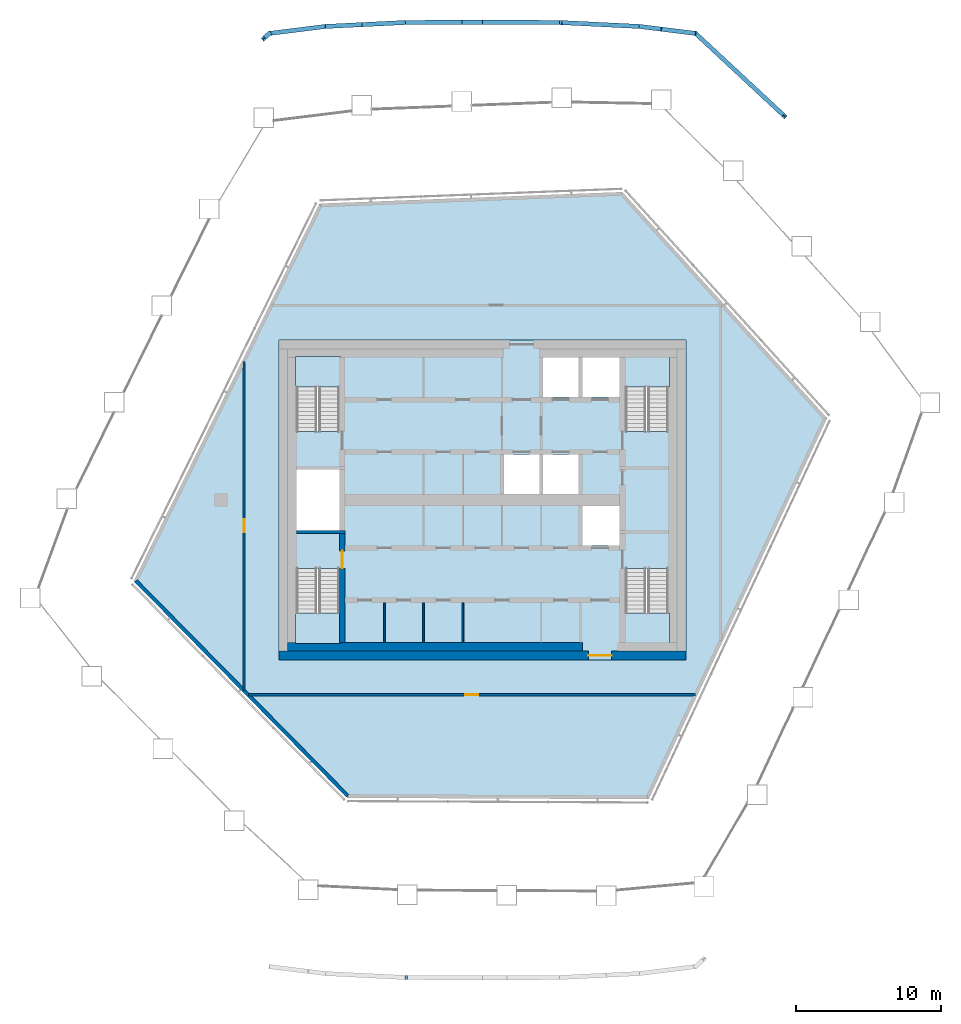
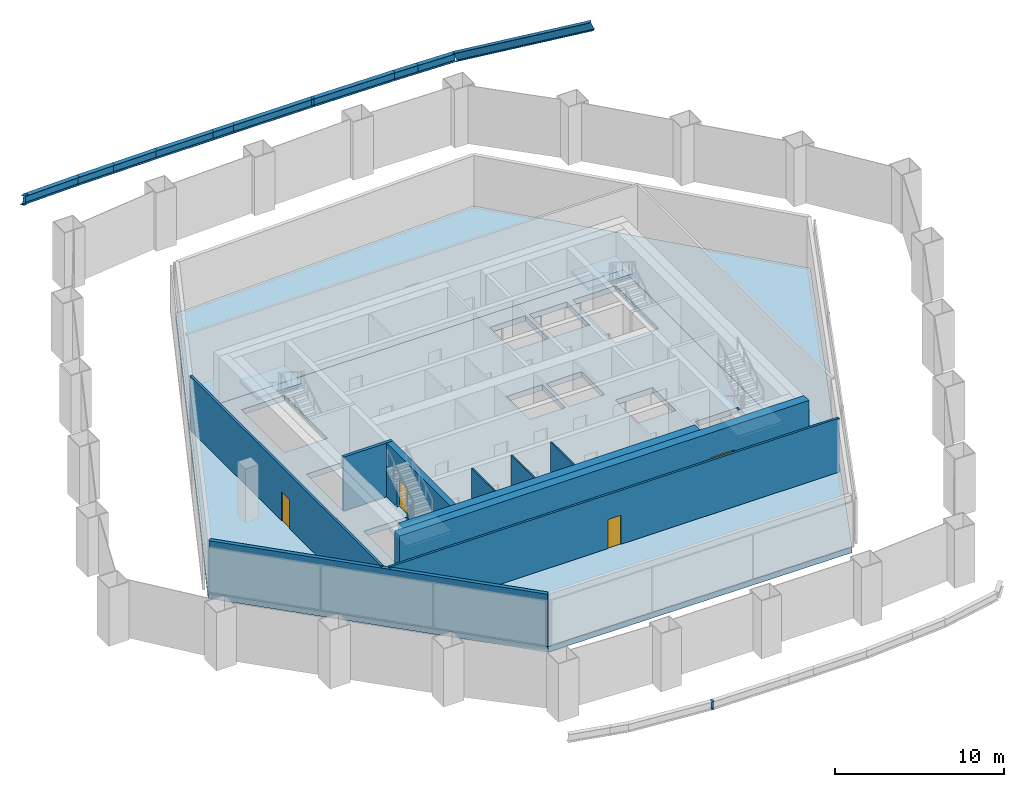
# One storey, part 7 of 18: 13 members, 10 walls, 6 slabs, 4 doors, 4 openings, 4 elements without a shape of their own.
"""IFC4 building model written with IfcOpenShell, lengths in metres."""

from ifc_helpers import new_model, si_unit, direction, frame, frame_2d, origin, origin_2d, place, context, subcontext, project, spatial, polyline, rectangle, i_section, outline, extrude, material, layer, layer_set, material_profile, profile_set, type_object, element, fill, aggregate, save


model = new_model("IFC4")

# Units and contexts
model_context = context("Model", 3, precision=1e-05, world=origin(), true_north=direction((0.0, 1.0)))
body_context = subcontext(model_context, "Body", "Model", "MODEL_VIEW")
ifc_project = project(units=[si_unit("LENGTHUNIT", "METRE"), si_unit("AREAUNIT", "SQUARE_METRE"), si_unit("VOLUMEUNIT", "CUBIC_METRE"), si_unit("PLANEANGLEUNIT", "RADIAN"), si_unit("MASSUNIT", "GRAM", prefix="KILO")], contexts=[model_context])

# Site, building, storey
site_placement = place(None, origin())
site = spatial("IfcSite", under=ifc_project, at=site_placement, CompositionType="ELEMENT")
building_placement = place(site_placement, origin())
building = spatial("IfcBuilding", under=site, at=building_placement, Name="Dongbaek Canopy Tower", CompositionType="ELEMENT")
storey_placement = place(building_placement, frame((0.0, 0.0, 371.60009765625)))
storey = spatial("IfcBuildingStorey", under=building, at=storey_placement, Name="L80", CompositionType="ELEMENT", Elevation=371.60009765625)

# Members
ifc_material_1 = material(Name="Steel S355", Category="steel")
ifc_material_profile = material_profile(ifc_material_1, i_section(OverallWidth=0.300048828125, OverallDepth=0.587890625, WebThickness=0.011962890625, FlangeThickness=0.02001953125, FilletRadius=0.028076171875, at=origin_2d()), Name="EAVES BEAM H 588x300x12x20 Steel S355")
ifc_profile_set = profile_set([ifc_material_profile], Name="Steel S355")
member_type = type_object("IfcMemberType", Name="EAVES BEAM H 588x300x12x20 Steel S355", PredefinedType="MEMBER", material=ifc_profile_set)
member_1_placement = place(storey_placement, frame((-5.31884765625, -32.866455078125, 1.91455078125), z_axis=(0.999983413533, -0.004792252781, -0.003194835187), x_axis=(0.004792277238, 0.999988516974, 0.0)))
element("IfcMember", 1, at=member_1_placement, inside=storey, type_object=member_type, Name="EAVE:13", PredefinedType="MEMBER", context=body_context, shape_type="SweptSolid", body=[
    extrude(i_section(OverallWidth=0.300048828125, OverallDepth=0.587890625, WebThickness=0.011962890625, FlangeThickness=0.02001953125, FilletRadius=0.028076171875, at=origin_2d()), origin(), (0.0, 0.0, 1.0), 0.15283203125),
])
member_2_placement = place(storey_placement, frame((20.79541015625, 26.42138671875, 5.941650390625), z_axis=(-0.673807700222, 0.626638473501, -0.391544897361), x_axis=(-0.68101107582, -0.732273114767, 0.0)))
element("IfcMember", 2, at=member_2_placement, inside=storey, type_object=member_type, Name="EAVE:40", PredefinedType="MEMBER", context=body_context, shape_type="SweptSolid", body=[
    extrude(i_section(OverallWidth=0.300048828125, OverallDepth=0.587890625, WebThickness=0.011962890625, FlangeThickness=0.02001953125, FilletRadius=0.028076171875, at=origin_2d()), origin(), (0.0, 0.0, 1.0), 9.08349609375),
])
member_3_placement = place(storey_placement, frame((14.6748046875, 32.113525390625, 2.385009765625), z_axis=(-0.989335198948, 0.123487857821, -0.077243854727), x_axis=(-0.123857916781, -0.99229996294, 0.0)))
element("IfcMember", 3, at=member_3_placement, inside=storey, type_object=member_type, Name="EAVE:41", PredefinedType="MEMBER", context=body_context, shape_type="SweptSolid", body=[
    extrude(i_section(OverallWidth=0.300048828125, OverallDepth=0.587890625, WebThickness=0.011962890625, FlangeThickness=0.02001953125, FilletRadius=0.028076171875, at=origin_2d()), origin(), (0.0, 0.0, 1.0), 2.38623046875),
])
member_4_placement = place(storey_placement, frame((12.31396484375, 32.408203125, 2.20068359375), z_axis=(-0.989323328527, 0.123584957109, -0.077240598193), x_axis=(-0.123955275681, -0.992287805846, 0.0)))
element("IfcMember", 4, at=member_4_placement, inside=storey, type_object=member_type, Name="EAVE:42", PredefinedType="MEMBER", context=body_context, shape_type="SweptSolid", body=[
    extrude(i_section(OverallWidth=0.300048828125, OverallDepth=0.587890625, WebThickness=0.011962890625, FlangeThickness=0.02001953125, FilletRadius=0.028076171875, at=origin_2d()), origin(), (0.0, 0.0, 1.0), 1.51708984375),
])
member_5_placement = place(storey_placement, frame((10.81298828125, 32.595703125, 2.08349609375), z_axis=(-0.998317656521, 0.049183603753, -0.030705533698), x_axis=(-0.049206806045, -0.998788611388, 0.0)))
element("IfcMember", 5, at=member_5_placement, inside=storey, type_object=member_type, Name="EAVE:43", PredefinedType="MEMBER", context=body_context, shape_type="SweptSolid", body=[
    extrude(i_section(OverallWidth=0.300048828125, OverallDepth=0.587890625, WebThickness=0.011962890625, FlangeThickness=0.02001953125, FilletRadius=0.028076171875, at=origin_2d()), origin(), (0.0, 0.0, 1.0), 5.35107421875),
])
member_6_placement = place(storey_placement, frame((5.470947265625, 32.85888671875, 1.919189453125), z_axis=(-0.998301296187, 0.049674703342, -0.030445785919), x_axis=(-0.04969774224, -0.998764303735, 0.0)))
element("IfcMember", 6, at=member_6_placement, inside=storey, type_object=member_type, Name="EAVE:44", PredefinedType="MEMBER", context=body_context, shape_type="SweptSolid", body=[
    extrude(i_section(OverallWidth=0.300048828125, OverallDepth=0.587890625, WebThickness=0.011962890625, FlangeThickness=0.02001953125, FilletRadius=0.028076171875, at=origin_2d()), origin(), (0.0, 0.0, 1.0), 0.15234375),
])
member_7_placement = place(storey_placement, frame((5.31884765625, 32.866455078125, 1.91455078125), z_axis=(-0.999986700426, 0.004360540555, -0.002754025614), x_axis=(-0.004360557092, -0.999990492726, 0.0)))
element("IfcMember", 7, at=member_7_placement, inside=storey, type_object=member_type, Name="EAVE:45", PredefinedType="MEMBER", context=body_context, shape_type="SweptSolid", body=[
    extrude(i_section(OverallWidth=0.300048828125, OverallDepth=0.587890625, WebThickness=0.011962890625, FlangeThickness=0.02001953125, FilletRadius=0.028076171875, at=origin_2d()), origin(), (0.0, 0.0, 1.0), 5.31884765625),
])
member_8_placement = place(storey_placement, frame((0.0, 32.8896484375, 1.89990234375), z_axis=(-0.999986941774, -0.004304351506, 0.002754784964), x_axis=(0.004304367838, -0.999990736166, 0.0)))
element("IfcMember", 8, at=member_8_placement, inside=storey, type_object=member_type, Name="EAVE:46", PredefinedType="MEMBER", context=body_context, shape_type="SweptSolid", body=[
    extrude(i_section(OverallWidth=0.300048828125, OverallDepth=0.587890625, WebThickness=0.011962890625, FlangeThickness=0.02001953125, FilletRadius=0.028076171875, at=origin_2d()), origin(), (0.0, 0.0, 1.0), 1.41796875),
])
member_9_placement = place(storey_placement, frame((-1.41796875, 32.883544921875, 1.90380859375), z_axis=(-0.999986611914, -0.004380965254, 0.002753749588), x_axis=(0.004380981865, -0.999990403453, 0.0)))
element("IfcMember", 9, at=member_9_placement, inside=storey, type_object=member_type, Name="EAVE:47", PredefinedType="MEMBER", context=body_context, shape_type="SweptSolid", body=[
    extrude(i_section(OverallWidth=0.300048828125, OverallDepth=0.587890625, WebThickness=0.011962890625, FlangeThickness=0.02001953125, FilletRadius=0.028076171875, at=origin_2d()), origin(), (0.0, 0.0, 1.0), 3.90087890625),
])
member_10_placement = place(storey_placement, frame((-5.31884765625, 32.866455078125, 1.91455078125), z_axis=(-0.998314605873, -0.049231059924, 0.030728658264), x_axis=(0.049254319622, -0.998786269428, 0.0)))
element("IfcMember", 10, at=member_10_placement, inside=storey, type_object=member_type, Name="EAVE:48", PredefinedType="MEMBER", context=body_context, shape_type="SweptSolid", body=[
    extrude(i_section(OverallWidth=0.300048828125, OverallDepth=0.587890625, WebThickness=0.011962890625, FlangeThickness=0.02001953125, FilletRadius=0.028076171875, at=origin_2d()), origin(), (0.0, 0.0, 1.0), 2.995361328125),
])
member_11_placement = place(storey_placement, frame((-8.30908203125, 32.718994140625, 2.006591796875), z_axis=(-0.998320312281, -0.049156762646, 0.030662139077), x_axis=(0.049179886731, -0.998789937245, 0.0)))
element("IfcMember", 11, at=member_11_placement, inside=storey, type_object=member_type, Name="EAVE:49", PredefinedType="MEMBER", context=body_context, shape_type="SweptSolid", body=[
    extrude(i_section(OverallWidth=0.300048828125, OverallDepth=0.587890625, WebThickness=0.011962890625, FlangeThickness=0.02001953125, FilletRadius=0.028076171875, at=origin_2d()), origin(), (0.0, 0.0, 1.0), 2.508056640625),
])
member_12_placement = place(storey_placement, frame((-10.81298828125, 32.595703125, 2.08349609375), z_axis=(-0.98933058635, -0.123525597929, 0.077242589085), x_axis=(0.1238957578, -0.992295238928, 0.0)))
element("IfcMember", 12, at=member_12_placement, inside=storey, type_object=member_type, Name="EAVE:50", PredefinedType="MEMBER", context=body_context, shape_type="SweptSolid", body=[
    extrude(i_section(OverallWidth=0.300048828125, OverallDepth=0.587890625, WebThickness=0.011962890625, FlangeThickness=0.02001953125, FilletRadius=0.028076171875, at=origin_2d()), origin(), (0.0, 0.0, 1.0), 3.903564453125),
])
member_13_placement = place(storey_placement, frame((-14.6748046875, 32.113525390625, 2.385009765625), z_axis=(-0.673871717548, -0.626709195072, 0.391321470279), x_axis=(0.681017593609, -0.732267053195, 0.0)))
element("IfcMember", 13, at=member_13_placement, inside=storey, type_object=member_type, Name="EAVE:51", PredefinedType="MEMBER", context=body_context, shape_type="SweptSolid", body=[
    extrude(i_section(OverallWidth=0.300048828125, OverallDepth=0.587890625, WebThickness=0.011962890625, FlangeThickness=0.02001953125, FilletRadius=0.028076171875, at=origin_2d()), origin(), (0.0, 0.0, 1.0), 0.57470703125),
])

# Slab
ifc_material_2 = material(Name="Concrete C40/50", Category="concrete")
ifc_layer_1 = layer(ifc_material_2, 0.39990234375)
ifc_layer_set_1 = layer_set([ifc_layer_1], Name="Core floor slab 400 Concrete C40/50")
slab_type_1 = type_object("IfcSlabType", Name="Core floor slab 400 Concrete C40/50", PredefinedType="FLOOR", material=ifc_layer_set_1)
slab_1_placement = place(storey_placement, frame((0.0, 0.0, -0.400146484375)))
element("IfcSlab", 14, at=slab_1_placement, inside=storey, type_object=slab_type_1, Name="Core floor slab L80", PredefinedType="FLOOR", context=body_context, shape_type="SweptSolid", body=[
    extrude(outline(polyline([(14.0, -11.0), (14.0, 11.0), (-14.0, 11.0), (-14.0, -11.0), (14.0, -11.0)]), holes=[polyline([(-12.800048828125, 2.10009765625), (-9.85009765625, 2.10009765625), (-9.85009765625, -2.10009765625), (-12.800048828125, -2.10009765625), (-12.800048828125, 2.10009765625)]), polyline([(6.625, 9.800048828125), (6.625, 7.074951171875), (4.175048828125, 7.074951171875), (4.175048828125, 9.800048828125), (6.625, 9.800048828125)]), polyline([(9.449951171875, 7.074951171875), (6.875, 7.074951171875), (6.875, 9.800048828125), (9.449951171875, 9.800048828125), (9.449951171875, 7.074951171875)]), polyline([(3.925048828125, 3.125), (3.925048828125, 0.39990234375), (1.47509765625, 0.39990234375), (1.47509765625, 3.125), (3.925048828125, 3.125)]), polyline([(4.175048828125, 3.125), (6.625, 3.125), (6.625, 0.39990234375), (4.175048828125, 0.39990234375), (4.175048828125, 3.125)]), polyline([(9.449951171875, -3.125), (6.875, -3.125), (6.875, -0.39990234375), (9.449951171875, -0.39990234375), (9.449951171875, -3.125)]), polyline([(12.800048828125, 4.70068359375), (12.800048828125, 9.800048828125), (9.85009765625, 9.800048828125), (9.85009765625, 4.70068359375), (12.800048828125, 4.70068359375)]), polyline([(-9.85009765625, 4.70068359375), (-9.85009765625, 9.800048828125), (-12.800048828125, 9.800048828125), (-12.800048828125, 4.70068359375), (-9.85009765625, 4.70068359375)]), polyline([(9.85009765625, -4.70068359375), (9.85009765625, -9.800048828125), (12.800048828125, -9.800048828125), (12.800048828125, -4.70068359375), (9.85009765625, -4.70068359375)]), polyline([(-12.800048828125, -4.70068359375), (-12.800048828125, -9.800048828125), (-9.85009765625, -9.800048828125), (-9.85009765625, -4.70068359375), (-12.800048828125, -4.70068359375)])]), origin(), (0.0, 0.0, 1.0), 0.400146484375),
])

# Stair, slab
ifc_material_3 = material(Name="Concrete C40/50", Category="concrete")
stair_type = type_object("IfcStairType", Name="Core exit stair", PredefinedType="HALF_TURN_STAIR", material=ifc_material_3)
stair_1_placement = place(storey_placement, origin())
stair_1 = element("IfcStair", 15, at=stair_1_placement, inside=storey, type_object=stair_type, Name="L80 exit stair A", PredefinedType="HALF_TURN_STAIR")
ifc_material_4 = material(Name="Concrete C40/50", Category="concrete")
ifc_layer_2 = layer(ifc_material_4, 0.199951171875)
ifc_layer_set_2 = layer_set([ifc_layer_2], Name="Core stair landing 200")
slab_type_2 = type_object("IfcSlabType", Name="Core stair landing 200", PredefinedType="LANDING", material=ifc_layer_set_2)
slab_2_placement = place(storey_placement, frame((0.0, 0.0, 1.89990234375)))
slab_2 = element("IfcSlab", 16, at=slab_2_placement, type_object=slab_type_2, Name="ST-A landing 1", PredefinedType="LANDING", context=body_context, shape_type="SweptSolid", body=[
    extrude(outline(polyline([(12.875, 7.780029296875), (12.875, 9.875), (9.77490234375, 9.875), (9.77490234375, 7.780029296875), (12.875, 7.780029296875)])), origin(), (0.0, 0.0, 1.0), 0.199951171875),
])
aggregate(stair_1, [slab_2])

stair_2_placement = place(storey_placement, origin())
stair_2 = element("IfcStair", 17, at=stair_2_placement, inside=storey, type_object=stair_type, Name="L80 exit stair C", PredefinedType="HALF_TURN_STAIR")
slab_3_placement = place(storey_placement, frame((0.0, 0.0, 1.89990234375)))
slab_3 = element("IfcSlab", 18, at=slab_3_placement, type_object=slab_type_2, Name="ST-C landing 1", PredefinedType="LANDING", context=body_context, shape_type="SweptSolid", body=[
    extrude(outline(polyline([(-9.77490234375, 7.780029296875), (-9.77490234375, 9.875), (-12.875, 9.875), (-12.875, 7.780029296875), (-9.77490234375, 7.780029296875)])), origin(), (0.0, 0.0, 1.0), 0.199951171875),
])
aggregate(stair_2, [slab_3])

stair_3_placement = place(storey_placement, origin())
stair_3 = element("IfcStair", 19, at=stair_3_placement, inside=storey, type_object=stair_type, Name="L80 exit stair B", PredefinedType="HALF_TURN_STAIR")
slab_4_placement = place(storey_placement, frame((0.0, 0.0, 1.89990234375)))
slab_4 = element("IfcSlab", 20, at=slab_4_placement, type_object=slab_type_2, Name="ST-B landing 1", PredefinedType="LANDING", context=body_context, shape_type="SweptSolid", body=[
    extrude(outline(polyline([(9.77490234375, -7.780029296875), (9.77490234375, -9.875), (12.875, -9.875), (12.875, -7.780029296875), (9.77490234375, -7.780029296875)])), origin(), (0.0, 0.0, 1.0), 0.199951171875),
])
aggregate(stair_3, [slab_4])

stair_4_placement = place(storey_placement, origin())
stair_4 = element("IfcStair", 21, at=stair_4_placement, inside=storey, type_object=stair_type, Name="L80 exit stair D", PredefinedType="HALF_TURN_STAIR")
slab_5_placement = place(storey_placement, frame((0.0, 0.0, 1.89990234375)))
slab_5 = element("IfcSlab", 22, at=slab_5_placement, type_object=slab_type_2, Name="ST-D landing 1", PredefinedType="LANDING", context=body_context, shape_type="SweptSolid", body=[
    extrude(outline(polyline([(-12.875, -7.780029296875), (-12.875, -9.875), (-9.77490234375, -9.875), (-9.77490234375, -7.780029296875), (-12.875, -7.780029296875)])), origin(), (0.0, 0.0, 1.0), 0.199951171875),
])
aggregate(stair_4, [slab_5])

# Slab
ifc_material_5 = material(Name="Concrete C40", Category="concrete")
ifc_layer_3 = layer(ifc_material_5, 0.39990234375)
ifc_layer_set_3 = layer_set([ifc_layer_3], Name="RC FLAT PLATE 400 Concrete C40")
slab_type_3 = type_object("IfcSlabType", Name="RC FLAT PLATE 400 Concrete C40", PredefinedType="FLOOR", material=ifc_layer_set_3)
slab_6_placement = place(storey_placement, frame((0.0, 0.0, -0.400146484375)))
element("IfcSlab", 23, at=slab_6_placement, inside=storey, type_object=slab_type_3, Name="SLAB:L80", PredefinedType="FLOOR", context=body_context, shape_type="SweptSolid", body=[
    extrude(outline(polyline([(-23.972412109375, -5.587646484375), (-11.201904296875, 20.37744140625), (9.6259765625, 21.17431640625), (23.701416015625, 5.631591796875), (11.430908203125, -20.569091796875), (-9.307861328125, -20.4765625), (-23.972412109375, -5.587646484375)]), holes=[polyline([(14.0, 11.0), (-14.0, 11.0), (-14.0, -11.0), (14.0, -11.0), (14.0, 11.0)])]), origin(), (0.0, 0.0, 1.0), 0.400146484375),
])

# Wall, opening, door
ifc_material_6 = material(Name="Concrete C80/95", Category="concrete")
ifc_layer_4 = layer(ifc_material_6, 0.60009765625)
ifc_layer_set_4 = layer_set([ifc_layer_4], Name="Core outer wall 600 Concrete C80/95")
wall_type_1 = type_object("IfcWallType", Name="Core outer wall 600 Concrete C80/95", PredefinedType="SHEAR", material=ifc_layer_set_4)
wall_1_placement = place(storey_placement, frame((14.0, -10.699951171875, 0.0), z_axis=(0.0, 0.0, 1.0), x_axis=(-1.0, 0.0, 0.0)))
wall_1 = element("IfcWall", 24, at=wall_1_placement, inside=storey, type_object=wall_type_1, Name="Core wall", PredefinedType="SHEAR", context=body_context, shape_type="SweptSolid", body=[
    extrude(rectangle(XDim=28.0, YDim=0.60009765625, at=frame_2d((14.0, 0.0))), origin(), (0.0, 0.0, 1.0), 3.89990234375),
])
opening_1_placement = place(wall_1_placement, frame((5.10009765625, 0.0, 0.0)))
opening_1 = element("IfcOpeningElement", 25, at=opening_1_placement, cuts=wall_1, Name="Opening L80-D013", PredefinedType="OPENING", context=body_context, shape_type="SweptSolid", body=[
    extrude(rectangle(XDim=1.60009765625, YDim=2.10009765625, at=frame_2d((0.800048828125, 1.050048828125))), frame((0.0, 0.31005859375, 0.0), z_axis=(0.0, -1.0, 0.0), x_axis=(1.0, 0.0, 0.0)), (0.0, 0.0, 1.0), 0.6201171875),
])
ifc_material_7 = material(Name="Steel", Category="steel")
door_type_1 = type_object("IfcDoorType", Name="Core exit door 1600 x 2100", OperationType="DOUBLE_DOOR_SINGLE_SWING", PredefinedType="DOOR", material=ifc_material_7)
door_1_placement = place(opening_1_placement, origin())
door_1 = element("IfcDoor", 26, at=door_1_placement, inside=storey, type_object=door_type_1, Name="Core exit door", OperationType="DOUBLE_DOOR_SINGLE_SWING", OverallHeight=2.10009765625, OverallWidth=1.60009765625, PredefinedType="DOOR", context=body_context, shape_type="SweptSolid", body=[
    extrude(rectangle(XDim=1.60009765625, YDim=2.10009765625, at=frame_2d((0.800048828125, 1.050048828125))), frame((0.0, 0.02490234375, 0.0), z_axis=(0.0, -1.0, 0.0), x_axis=(1.0, 0.0, 0.0)), (0.0, 0.0, 1.0), 0.050048828125),
])
fill(opening_1, door_1)

# Wall
ifc_material_8 = material(Name="Concrete C60/75", Category="concrete")
ifc_layer_5 = layer(ifc_material_8, 0.60009765625)
ifc_layer_set_5 = layer_set([ifc_layer_5], Name="Core wall lining 600 Concrete C60/75")
wall_type_2 = type_object("IfcWallType", Name="Core wall lining 600 Concrete C60/75", PredefinedType="SHEAR", material=ifc_layer_set_5)
wall_2_placement = place(storey_placement, frame((6.89990234375, -10.10009765625, 0.0), z_axis=(0.0, 0.0, 1.0), x_axis=(-1.0, 0.0, 0.0)))
element("IfcWall", 27, at=wall_2_placement, inside=storey, type_object=wall_type_2, Name="Core wall lining", PredefinedType="SHEAR", context=body_context, shape_type="SweptSolid", body=[
    extrude(rectangle(XDim=20.2998046875, YDim=0.60009765625, at=frame_2d((10.14990234375, 0.0))), origin(), (0.0, 0.0, 1.0), 3.89990234375),
])

# Wall, opening, door
ifc_material_9 = material(Name="Gypsum board partition, steel stud, 2 x 15 mm fire board", Category="steel")
ifc_layer_6 = layer(ifc_material_9, 0.14990234375)
ifc_layer_set_6 = layer_set([ifc_layer_6], Name="Fire-rated partition 150 gypsum board")
wall_type_3 = type_object("IfcWallType", Name="Fire-rated partition 150 gypsum board", PredefinedType="PARTITIONING", material=ifc_layer_set_6)
wall_3_placement = place(storey_placement, frame((14.656005859375, -13.39990234375, 0.0), z_axis=(0.0, 0.0, 1.0), x_axis=(-1.0, 0.0, 0.0)))
wall_3 = element("IfcWall", 28, at=wall_3_placement, inside=storey, type_object=wall_type_3, Name="Corridor partition", PredefinedType="PARTITIONING", context=body_context, shape_type="SweptSolid", body=[
    extrude(rectangle(XDim=30.76513671875, YDim=0.14990234375, at=frame_2d((15.382568359375, 0.0))), origin(), (0.0, 0.0, 1.0), 3.89990234375),
])
opening_2_placement = place(wall_3_placement, frame((14.9326171875, 0.0, 0.0)))
opening_2 = element("IfcOpeningElement", 29, at=opening_2_placement, cuts=wall_3, Name="Opening L80-D002", PredefinedType="OPENING", context=body_context, shape_type="SweptSolid", body=[
    extrude(rectangle(XDim=0.89990234375, YDim=2.10009765625, at=frame_2d((0.449951171875, 1.050048828125))), frame((0.0, 0.0849609375, 0.0), z_axis=(0.0, -1.0, 0.0), x_axis=(1.0, 0.0, 0.0)), (0.0, 0.0, 1.0), 0.169921875),
])
ifc_material_10 = material(Name="Timber veneered door leaf", Category="wood")
door_type_2 = type_object("IfcDoorType", Name="Store door 900 x 2100", OperationType="SINGLE_SWING_LEFT", PredefinedType="DOOR", material=ifc_material_10)
door_2_placement = place(opening_2_placement, origin())
door_2 = element("IfcDoor", 30, at=door_2_placement, inside=storey, type_object=door_type_2, Name="Door L80-D002", OperationType="SINGLE_SWING_LEFT", OverallHeight=2.10009765625, OverallWidth=0.89990234375, PredefinedType="DOOR", context=body_context, shape_type="SweptSolid", body=[
    extrude(rectangle(XDim=0.89990234375, YDim=2.10009765625, at=frame_2d((0.449951171875, 1.050048828125))), frame((0.0, 0.02490234375, 0.0), z_axis=(0.0, -1.0, 0.0), x_axis=(1.0, 0.0, 0.0)), (0.0, 0.0, 1.0), 0.050048828125),
])
fill(opening_2, door_2)

wall_4_placement = place(storey_placement, frame((-16.39990234375, -13.104736328125, 0.0), z_axis=(0.0, 0.0, 1.0), x_axis=(0.0, 1.0, 0.0)))
wall_4 = element("IfcWall", 31, at=wall_4_placement, inside=storey, type_object=wall_type_3, Name="Corridor partition", PredefinedType="PARTITIONING", context=body_context, shape_type="SweptSolid", body=[
    extrude(rectangle(XDim=22.641357421875, YDim=0.14990234375, at=frame_2d((11.32080078125, 0.0))), origin(), (0.0, 0.0, 1.0), 3.89990234375),
])
opening_3_placement = place(wall_4_placement, frame((10.87060546875, 0.0, 0.0)))
opening_3 = element("IfcOpeningElement", 32, at=opening_3_placement, cuts=wall_4, Name="Opening L80-D001", PredefinedType="OPENING", context=body_context, shape_type="SweptSolid", body=[
    extrude(rectangle(XDim=0.89990234375, YDim=2.10009765625, at=frame_2d((0.449951171875, 1.050048828125))), frame((0.0, 0.0849609375, 0.0), z_axis=(0.0, -1.0, 0.0), x_axis=(1.0, 0.0, 0.0)), (0.0, 0.0, 1.0), 0.169921875),
])
door_3_placement = place(opening_3_placement, origin())
door_3 = element("IfcDoor", 33, at=door_3_placement, inside=storey, type_object=door_type_2, Name="Door L80-D001", OperationType="SINGLE_SWING_RIGHT", OverallHeight=2.10009765625, OverallWidth=0.89990234375, PredefinedType="DOOR", context=body_context, shape_type="SweptSolid", body=[
    extrude(rectangle(XDim=0.89990234375, YDim=2.10009765625, at=frame_2d((0.449951171875, 1.050048828125))), frame((0.0, 0.02490234375, 0.0), z_axis=(0.0, -1.0, 0.0), x_axis=(1.0, 0.0, 0.0)), (0.0, 0.0, 1.0), 0.050048828125),
])
fill(opening_3, door_3)

# Walls
ifc_material_11 = material(Name="Gypsum board partition, steel stud, 2 x 12.5 mm board", Category="steel")
ifc_layer_7 = layer(ifc_material_11, 0.10009765625)
ifc_layer_set_7 = layer_set([ifc_layer_7], Name="Partition 100 gypsum board")
wall_type_4 = type_object("IfcWallType", Name="Partition 100 gypsum board", PredefinedType="PARTITIONING", material=ifc_layer_set_7)
for number, where, z_axis, x_axis, name in (
    (34, (-1.35009765625, -9.800048828125, 0.0), (0.0, 0.0, 1.0), (0.0, 1.0, 0.0), "Core partition"),
    (35, (-4.050048828125, -9.800048828125, 0.0), (0.0, 0.0, 1.0), (0.0, 1.0, 0.0), "Core partition"),
    (36, (-6.75, -9.800048828125, 0.0), (0.0, 0.0, 1.0), (0.0, 1.0, 0.0), "Core partition"),
):
    element("IfcWall", number, at=place(storey_placement, frame(where, z_axis=z_axis, x_axis=x_axis)), inside=storey, type_object=wall_type_4, Name=name, PredefinedType="PARTITIONING", context=body_context, shape_type="SweptSolid", body=[
        extrude(rectangle(XDim=2.72509765625, YDim=0.10009765625, at=frame_2d((1.362548828125, 0.0))), origin(), (0.0, 0.0, 1.0), 3.89990234375),
    ])
ifc_material_12 = material(Name="Pale metal cladding on insulated wall")
ifc_layer_8 = layer(ifc_material_12, 0.25)
ifc_layer_set_8 = layer_set([ifc_layer_8], Name="Plant floor wall 250")
wall_type_5 = type_object("IfcWallType", Name="Plant floor wall 250", PredefinedType="SOLIDWALL", material=ifc_layer_set_8)
wall_5_placement = place(storey_placement, frame((-23.851318359375, -5.568115234375, 0.0), z_axis=(0.0, 0.0, 1.0), x_axis=(0.701718568407, -0.712454244673, 0.0)))
element("IfcWall", 37, at=wall_5_placement, inside=storey, type_object=wall_type_5, Name="Plant wall L80 F5 1", PredefinedType="SOLIDWALL", context=body_context, shape_type="SweptSolid", body=[
    extrude(rectangle(XDim=20.785400390625, YDim=0.25, at=frame_2d((10.392578125, 0.0))), origin(), (0.0, 0.0, 1.0), 3.7998046875),
])
ifc_material_13 = material(Name="Concrete C60/75", Category="concrete")
ifc_layer_9 = layer(ifc_material_13, 0.199951171875)
ifc_layer_set_9 = layer_set([ifc_layer_9], Name="Riser wall 200 Concrete C60/75")
wall_type_6 = type_object("IfcWallType", Name="Riser wall 200 Concrete C60/75", PredefinedType="SHEAR", material=ifc_layer_set_9)
wall_6_placement = place(storey_placement, frame((-9.449951171875, -2.199951171875, 0.0), z_axis=(0.0, 0.0, 1.0), x_axis=(-1.0, 0.0, 0.0)))
element("IfcWall", 38, at=wall_6_placement, inside=storey, type_object=wall_type_6, Name="Riser wall", PredefinedType="SHEAR", context=body_context, shape_type="SweptSolid", body=[
    extrude(rectangle(XDim=3.35009765625, YDim=0.199951171875, at=frame_2d((1.675048828125, 0.0))), origin(), (0.0, 0.0, 1.0), 3.89990234375),
])

# Wall, opening, door
ifc_material_14 = material(Name="Concrete C60/75", Category="concrete")
ifc_layer_10 = layer(ifc_material_14, 0.39990234375)
ifc_layer_set_10 = layer_set([ifc_layer_10], Name="Stair wall 400 Concrete C60/75")
wall_type_7 = type_object("IfcWallType", Name="Stair wall 400 Concrete C60/75", PredefinedType="SHEAR", material=ifc_layer_set_10)
wall_7_placement = place(storey_placement, frame((-9.64990234375, -9.800048828125, 0.0), z_axis=(0.0, 0.0, 1.0), x_axis=(0.0, 1.0, 0.0)))
wall_7 = element("IfcWall", 39, at=wall_7_placement, inside=storey, type_object=wall_type_7, Name="Stair wall", PredefinedType="SHEAR", context=body_context, shape_type="SweptSolid", body=[
    extrude(rectangle(XDim=7.5, YDim=0.39990234375, at=frame_2d((3.75, 0.0))), origin(), (0.0, 0.0, 1.0), 3.89990234375),
])
opening_4_placement = place(wall_7_placement, frame((5.10009765625, 0.0, 0.0)))
opening_4 = element("IfcOpeningElement", 40, at=opening_4_placement, cuts=wall_7, Name="Opening L80-D033", PredefinedType="OPENING", context=body_context, shape_type="SweptSolid", body=[
    extrude(rectangle(XDim=1.199951171875, YDim=2.10009765625, at=frame_2d((0.60009765625, 1.050048828125))), frame((0.0, 0.2099609375, 0.0), z_axis=(0.0, -1.0, 0.0), x_axis=(1.0, 0.0, 0.0)), (0.0, 0.0, 1.0), 0.419921875),
])
ifc_material_15 = material(Name="Steel", Category="steel")
door_type_3 = type_object("IfcDoorType", Name="Stair door 1200 x 2100", OperationType="SINGLE_SWING_LEFT", PredefinedType="DOOR", material=ifc_material_15)
door_4_placement = place(opening_4_placement, origin())
door_4 = element("IfcDoor", 41, at=door_4_placement, inside=storey, type_object=door_type_3, Name="Stair D door", OperationType="SINGLE_SWING_LEFT", OverallHeight=2.10009765625, OverallWidth=1.199951171875, PredefinedType="DOOR", context=body_context, shape_type="SweptSolid", body=[
    extrude(rectangle(XDim=1.199951171875, YDim=2.10009765625, at=frame_2d((0.60009765625, 1.050048828125))), frame((0.0, 0.02490234375, 0.0), z_axis=(0.0, -1.0, 0.0), x_axis=(1.0, 0.0, 0.0)), (0.0, 0.0, 1.0), 0.050048828125),
])
fill(opening_4, door_4)

save(model, "model.ifc")
